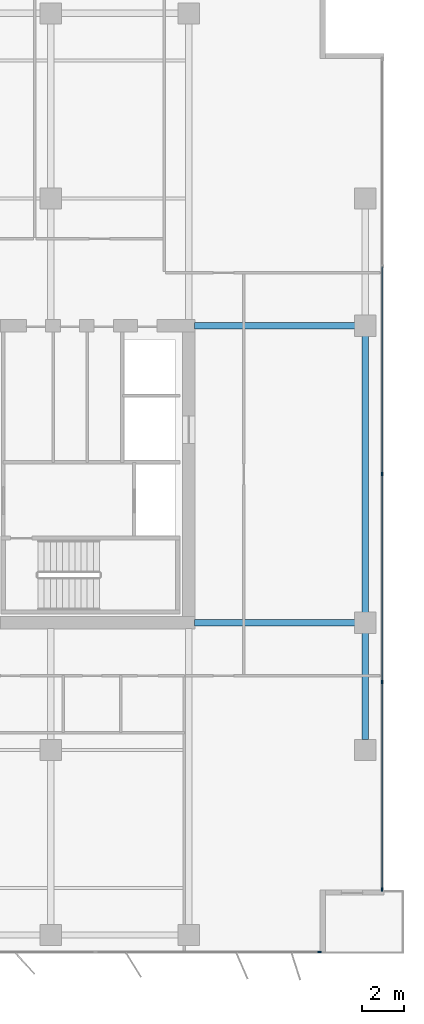
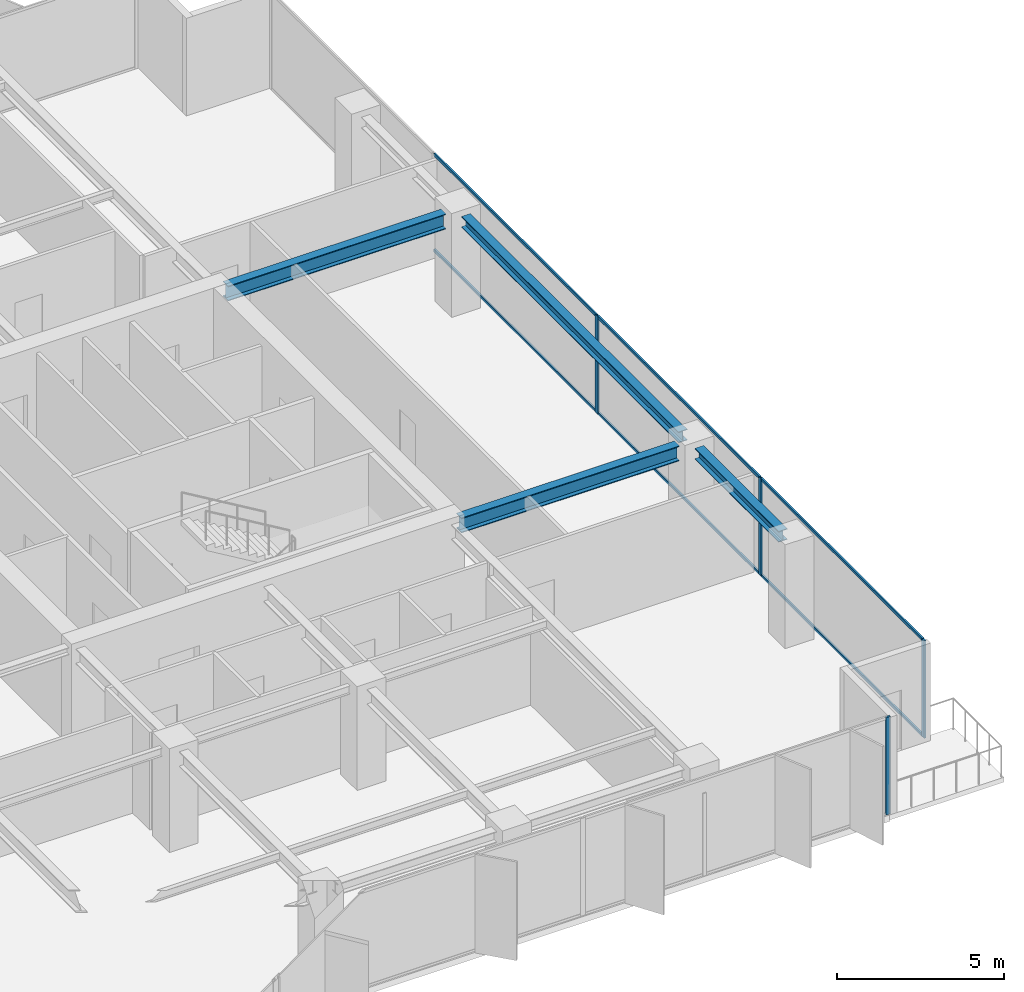
# One storey, part 12 of 22: 10 members, 4 beams, 2 elements without a shape of their own.
"""IFC4 building model written with IfcOpenShell, lengths in metres."""

from ifc_helpers import new_model, si_unit, direction, frame, origin, origin_2d, place, context, subcontext, project, spatial, rectangle, i_section, extrude, material, layer, layer_set, material_profile, profile_set, type_object, element, aggregate, save


model = new_model("IFC4")

# Units and contexts
model_context = context("Model", 3, precision=1e-05, world=origin(), true_north=direction((0.0, 1.0)))
body_context = subcontext(model_context, "Body", "Model", "MODEL_VIEW")
ifc_project = project(units=[si_unit("LENGTHUNIT", "METRE"), si_unit("AREAUNIT", "SQUARE_METRE"), si_unit("VOLUMEUNIT", "CUBIC_METRE"), si_unit("PLANEANGLEUNIT", "RADIAN"), si_unit("MASSUNIT", "GRAM", prefix="KILO")], contexts=[model_context])

# Site, building, storey
site_placement = place(None, origin())
site = spatial("IfcSite", under=ifc_project, at=site_placement, CompositionType="ELEMENT")
building_placement = place(site_placement, origin())
building = spatial("IfcBuilding", under=site, at=building_placement, Name="Putna Gate Headquarters", CompositionType="ELEMENT")
storey_placement = place(building_placement, frame((0.0, 0.0, 178.39990234375)))
storey = spatial("IfcBuildingStorey", under=building, at=storey_placement, Name="L44", CompositionType="ELEMENT", Elevation=178.39990234375)

# Beams
ifc_material_1 = material(Name="Steel S355J2", Category="steel")
ifc_material_profile_1 = material_profile(ifc_material_1, i_section(OverallWidth=0.300048828125, OverallDepth=0.550048828125, WebThickness=0.014892578125, FlangeThickness=0.029052734375, at=origin_2d()), Name="Steel S355J2")
ifc_profile_set_1 = profile_set([ifc_material_profile_1], Name="Steel S355J2")
beam_type_1 = type_object("IfcBeamType", Name="BM-GIRD-Z3-HEB550", PredefinedType="USERDEFINED", material=ifc_profile_set_1)
for number, where, z_axis, x_axis, name in (
    (1, (65.284912109375, 19.0, 3.297119140625), (1.0, 0.0, 0.0), (0.0, 1.0, 0.0), "L44 East Wing Girder Y19"),
    (2, (65.284912109375, 33.0, 3.297119140625), (1.0, 0.0, 0.0), (0.0, 1.0, 0.0), "L44 East Wing Girder Y33"),
):
    element("IfcBeam", number, at=place(storey_placement, frame(where, z_axis=z_axis, x_axis=x_axis)), inside=storey, type_object=beam_type_1, Name=name, ObjectType="GIRDER", PredefinedType="USERDEFINED", context=body_context, shape_type="SweptSolid", body=[
        extrude(i_section(OverallWidth=0.300048828125, OverallDepth=0.550048828125, WebThickness=0.014892578125, FlangeThickness=0.029052734375, at=origin_2d()), origin(), (0.0, 0.0, 1.0), 7.547119140625),
    ])
ifc_material_profile_2 = material_profile(ifc_material_1, i_section(OverallWidth=0.300048828125, OverallDepth=0.39990234375, WebThickness=0.013427734375, FlangeThickness=0.02392578125, at=origin_2d()), Name="Steel S355J2")
ifc_profile_set_2 = profile_set([ifc_material_profile_2], Name="Steel S355J2")
beam_type_2 = type_object("IfcBeamType", Name="BM-SPAN-Z3-HEB400", PredefinedType="SPANDREL", material=ifc_profile_set_2)
beam_1_placement = place(storey_placement, frame((73.320068359375, 13.488037109375, 3.3720703125), z_axis=(0.0, 1.0, 0.0), x_axis=(-1.0, 0.0, 0.0)))
element("IfcBeam", 3, at=beam_1_placement, inside=storey, type_object=beam_type_2, Name="L44 E End Spandrel 1", PredefinedType="SPANDREL", context=body_context, shape_type="SweptSolid", body=[
    extrude(i_section(OverallWidth=0.300048828125, OverallDepth=0.39990234375, WebThickness=0.013427734375, FlangeThickness=0.02392578125, at=origin_2d()), origin(), (0.0, 0.0, 1.0), 5.02392578125),
])
beam_2_placement = place(storey_placement, frame((73.320068359375, 19.488037109375, 3.3720703125), z_axis=(0.0, 1.0, 0.0), x_axis=(-1.0, 0.0, 0.0)))
element("IfcBeam", 4, at=beam_2_placement, inside=storey, type_object=beam_type_2, Name="L44 E End Spandrel 2", PredefinedType="SPANDREL", context=body_context, shape_type="SweptSolid", body=[
    extrude(i_section(OverallWidth=0.300048828125, OverallDepth=0.39990234375, WebThickness=0.013427734375, FlangeThickness=0.02392578125, at=origin_2d()), origin(), (0.0, 0.0, 1.0), 13.02392578125),
])

# Curtain wall, member
ifc_material_2 = material(Name="Anodised bronze aluminium curtain wall", Category="aluminium")
ifc_layer = layer(ifc_material_2, 0.159912109375)
ifc_layer_set = layer_set([ifc_layer], Name="Anodised bronze aluminium curtain wall")
curtain_wall_type = type_object("IfcCurtainWallType", Name="CW-SYS-Z3", PredefinedType="USERDEFINED", material=ifc_layer_set)
curtain_wall_1_placement = place(storey_placement, origin())
curtain_wall_1 = element("IfcCurtainWall", 5, at=curtain_wall_1_placement, inside=storey, type_object=curtain_wall_type, Name="L44 South East Curtain Wall", ObjectType="STICK CURTAIN WALL", PredefinedType="USERDEFINED")
ifc_material_3 = material(Name="Anodised bronze aluminium EN AW-6060", Category="aluminium")
ifc_material_profile_3 = material_profile(ifc_material_3, rectangle(XDim=0.06494140625, YDim=0.159912109375, at=origin_2d()), Name="Anodised bronze aluminium EN AW-6060")
ifc_profile_set_3 = profile_set([ifc_material_profile_3], Name="Anodised bronze aluminium EN AW-6060")
member_type_1 = type_object("IfcMemberType", Name="MULL-CWM-3", PredefinedType="MULLION", material=ifc_profile_set_3)
member_1_placement = place(storey_placement, frame((71.16748046875, 3.47998046875, 0.0), z_axis=(0.0, 0.0, 1.0), x_axis=(0.0, 1.0, 0.0)))
member_1 = element("IfcMember", 6, at=member_1_placement, type_object=member_type_1, Name="CWS-3 mullion 3", PredefinedType="MULLION", context=body_context, shape_type="SweptSolid", body=[
    extrude(rectangle(XDim=0.06494140625, YDim=0.159912109375, at=origin_2d()), origin(), (0.0, 0.0, 1.0), 3.572021484375),
])
aggregate(curtain_wall_1, [member_1])

# Curtain wall, members
curtain_wall_2_placement = place(storey_placement, origin())
curtain_wall_2 = element("IfcCurtainWall", 7, at=curtain_wall_2_placement, inside=storey, type_object=curtain_wall_type, Name="L44 East Curtain Wall", ObjectType="STICK CURTAIN WALL", PredefinedType="USERDEFINED")
member_2_placement = place(storey_placement, frame((74.1201171875, 6.4326171875, 0.0), z_axis=(0.0, 0.0, 1.0), x_axis=(-1.0, 0.0, 0.0)))
member_2 = element("IfcMember", 8, at=member_2_placement, type_object=member_type_1, Name="CWS-3 mullion 1", PredefinedType="MULLION", context=body_context, shape_type="SweptSolid", body=[
    extrude(rectangle(XDim=0.06494140625, YDim=0.159912109375, at=origin_2d()), origin(), (0.0, 0.0, 1.0), 3.572021484375),
])
member_3_placement = place(storey_placement, frame((74.1201171875, 16.199951171875, 0.0), z_axis=(0.0, 0.0, 1.0), x_axis=(-1.0, 0.0, 0.0)))
member_3 = element("IfcMember", 9, at=member_3_placement, type_object=member_type_1, Name="CWS-3 mullion 2", PredefinedType="MULLION", context=body_context, shape_type="SweptSolid", body=[
    extrude(rectangle(XDim=0.06494140625, YDim=0.159912109375, at=origin_2d()), origin(), (0.0, 0.0, 1.0), 3.572021484375),
])
member_4_placement = place(storey_placement, frame((74.1201171875, 26.0, 0.0), z_axis=(0.0, 0.0, 1.0), x_axis=(-1.0, 0.0, 0.0)))
member_4 = element("IfcMember", 10, at=member_4_placement, type_object=member_type_1, Name="CWS-3 mullion 3", PredefinedType="MULLION", context=body_context, shape_type="SweptSolid", body=[
    extrude(rectangle(XDim=0.06494140625, YDim=0.159912109375, at=origin_2d()), origin(), (0.0, 0.0, 1.0), 3.572021484375),
])
ifc_material_profile_4 = material_profile(ifc_material_3, rectangle(XDim=0.06005859375, YDim=0.10009765625, at=origin_2d()), Name="Anodised bronze aluminium EN AW-6060")
ifc_profile_set_4 = profile_set([ifc_material_profile_4], Name="Anodised bronze aluminium EN AW-6060")
member_type_2 = type_object("IfcMemberType", Name="TRAN-CWT-3", PredefinedType="USERDEFINED", material=ifc_profile_set_4)
member_5_placement = place(storey_placement, frame((74.1201171875, 6.465087890625, 0.030029296875), z_axis=(0.0, 1.0, 0.0), x_axis=(-1.0, 0.0, 0.0)))
member_5 = element("IfcMember", 11, at=member_5_placement, type_object=member_type_2, Name="CWS-3 transom 1.1", ObjectType="TRANSOM", PredefinedType="USERDEFINED", context=body_context, shape_type="SweptSolid", body=[
    extrude(rectangle(XDim=0.06005859375, YDim=0.10009765625, at=origin_2d()), origin(), (0.0, 0.0, 1.0), 9.702392578125),
])
member_6_placement = place(storey_placement, frame((74.1201171875, 6.465087890625, 3.5419921875), z_axis=(0.0, 1.0, 0.0), x_axis=(-1.0, 0.0, 0.0)))
member_6 = element("IfcMember", 12, at=member_6_placement, type_object=member_type_2, Name="CWS-3 transom 1.2", ObjectType="TRANSOM", PredefinedType="USERDEFINED", context=body_context, shape_type="SweptSolid", body=[
    extrude(rectangle(XDim=0.06005859375, YDim=0.10009765625, at=origin_2d()), origin(), (0.0, 0.0, 1.0), 9.702392578125),
])
member_7_placement = place(storey_placement, frame((74.1201171875, 16.232421875, 0.030029296875), z_axis=(0.0, 1.0, 0.0), x_axis=(-1.0, 0.0, 0.0)))
member_7 = element("IfcMember", 13, at=member_7_placement, type_object=member_type_2, Name="CWS-3 transom 2.1", ObjectType="TRANSOM", PredefinedType="USERDEFINED", context=body_context, shape_type="SweptSolid", body=[
    extrude(rectangle(XDim=0.06005859375, YDim=0.10009765625, at=origin_2d()), origin(), (0.0, 0.0, 1.0), 9.735107421875),
])
member_8_placement = place(storey_placement, frame((74.1201171875, 16.232421875, 3.5419921875), z_axis=(0.0, 1.0, 0.0), x_axis=(-1.0, 0.0, 0.0)))
member_8 = element("IfcMember", 14, at=member_8_placement, type_object=member_type_2, Name="CWS-3 transom 2.2", ObjectType="TRANSOM", PredefinedType="USERDEFINED", context=body_context, shape_type="SweptSolid", body=[
    extrude(rectangle(XDim=0.06005859375, YDim=0.10009765625, at=origin_2d()), origin(), (0.0, 0.0, 1.0), 9.735107421875),
])
member_9_placement = place(storey_placement, frame((74.1201171875, 26.032470703125, 0.030029296875), z_axis=(0.0, 1.0, 0.0), x_axis=(-1.0, 0.0, 0.0)))
member_9 = element("IfcMember", 15, at=member_9_placement, type_object=member_type_2, Name="CWS-3 transom 3.1", ObjectType="TRANSOM", PredefinedType="USERDEFINED", context=body_context, shape_type="SweptSolid", body=[
    extrude(rectangle(XDim=0.06005859375, YDim=0.10009765625, at=origin_2d()), origin(), (0.0, 0.0, 1.0), 9.735107421875),
])
member_10_placement = place(storey_placement, frame((74.1201171875, 26.032470703125, 3.5419921875), z_axis=(0.0, 1.0, 0.0), x_axis=(-1.0, 0.0, 0.0)))
member_10 = element("IfcMember", 16, at=member_10_placement, type_object=member_type_2, Name="CWS-3 transom 3.2", ObjectType="TRANSOM", PredefinedType="USERDEFINED", context=body_context, shape_type="SweptSolid", body=[
    extrude(rectangle(XDim=0.06005859375, YDim=0.10009765625, at=origin_2d()), origin(), (0.0, 0.0, 1.0), 9.735107421875),
])
aggregate(curtain_wall_2, [member_2, member_3, member_4, member_5, member_6, member_7, member_8, member_9, member_10])

save(model, "model.ifc")
